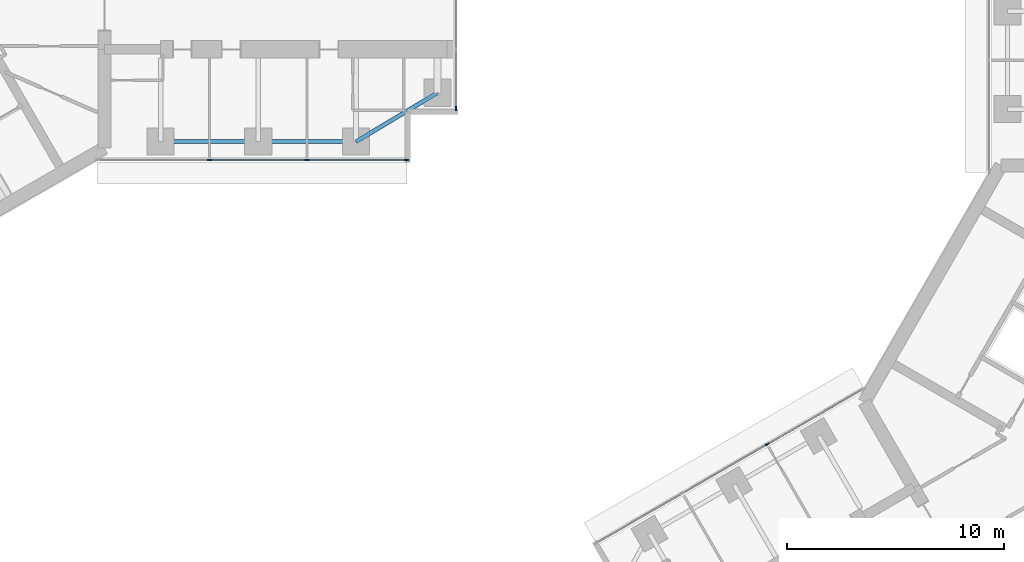
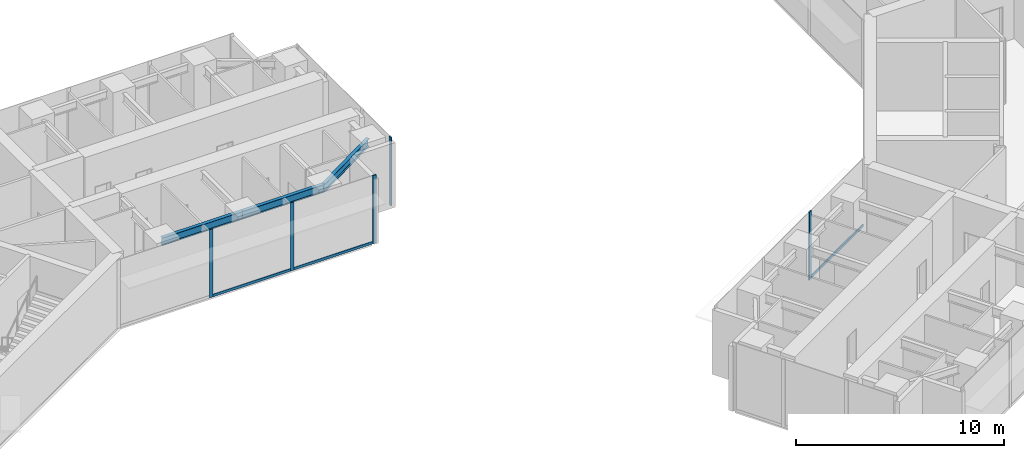
# One storey, part 4 of 23: 8 members, 3 beams, 3 elements without a shape of their own.
"""IFC4 building model written with IfcOpenShell, lengths in metres."""

from ifc_helpers import new_model, si_unit, direction, frame, origin, origin_2d, place, context, subcontext, project, spatial, rectangle, i_section, extrude, material, material_profile, profile_set, type_object, element, aggregate, save


model = new_model("IFC4")

# Units and contexts
model_context = context("Model", 3, precision=1e-05, world=origin(), true_north=direction((0.0, 1.0)))
body_context = subcontext(model_context, "Body", "Model", "MODEL_VIEW")
ifc_project = project(units=[si_unit("LENGTHUNIT", "METRE"), si_unit("AREAUNIT", "SQUARE_METRE"), si_unit("VOLUMEUNIT", "CUBIC_METRE"), si_unit("PLANEANGLEUNIT", "RADIAN"), si_unit("MASSUNIT", "GRAM", prefix="KILO")], contexts=[model_context])

# Site, building, storey
site_placement = place(None, origin())
site = spatial("IfcSite", under=ifc_project, at=site_placement, CompositionType="ELEMENT")
building_placement = place(site_placement, origin())
building = spatial("IfcBuilding", under=site, at=building_placement, Name="Upepo Twin Towers", CompositionType="ELEMENT")
storey_placement = place(building_placement, frame((0.0, 0.0, 149.5)))
storey = spatial("IfcBuildingStorey", under=building, at=storey_placement, Name="L36", CompositionType="ELEMENT", Elevation=149.5)

# Beams
ifc_material_1 = material(Name="Steel S355", Category="steel")
ifc_material_profile_1 = material_profile(ifc_material_1, i_section(OverallWidth=0.1904296875, OverallDepth=0.45703125, WebThickness=0.009033203125, FlangeThickness=0.014404296875, FilletRadius=0.01025390625, at=origin_2d()), Name="UB 457x191x74")
ifc_profile_set_1 = profile_set([ifc_material_profile_1], Name="Steel S355")
beam_type = type_object("IfcBeamType", Name="Beam UB 457x191x74", PredefinedType="BEAM", material=ifc_profile_set_1)
for number, where, z_axis, x_axis, name in (
    (1, (13.5, -6.0, 3.571533203125), (1.0, 0.0, 0.0), (0.0, 1.0, 0.0), "T1 edge beam AR 13.5-18.0"),
    (2, (18.0, -6.0, 3.571533203125), (1.0, 0.0, 0.0), (0.0, 1.0, 0.0), "T1 edge beam AR 18.0-22.5"),
):
    element("IfcBeam", number, at=place(storey_placement, frame(where, z_axis=z_axis, x_axis=x_axis)), inside=storey, type_object=beam_type, Name=name, PredefinedType="BEAM", context=body_context, shape_type="SweptSolid", body=[
        extrude(i_section(OverallWidth=0.1904296875, OverallDepth=0.45703125, WebThickness=0.009033203125, FlangeThickness=0.014404296875, FilletRadius=0.01025390625, at=origin_2d()), origin(), (0.0, 0.0, 1.0), 4.5),
    ])
beam_placement = place(storey_placement, frame((22.5, -6.0, 3.571533203125), z_axis=(0.857492925713, 0.514495755428, 0.0), x_axis=(-0.514495755428, 0.857492925713, 0.0)))
element("IfcBeam", 3, at=beam_placement, inside=storey, type_object=beam_type, Name="T1 nose edge beam AR", PredefinedType="BEAM", context=body_context, shape_type="SweptSolid", body=[
    extrude(i_section(OverallWidth=0.1904296875, OverallDepth=0.45703125, WebThickness=0.009033203125, FlangeThickness=0.014404296875, FilletRadius=0.01025390625, at=origin_2d()), origin(), (0.0, 0.0, 1.0), 4.373291015625),
])

# Curtain wall, members
ifc_material_2 = material(Name="Aluminium and fritted glass", Category="aluminium")
curtain_wall_type = type_object("IfcCurtainWallType", Name="Tower curtain wall TW2, fritted glass", PredefinedType="NOTDEFINED", material=ifc_material_2)
curtain_wall_1_placement = place(storey_placement, origin())
curtain_wall_1 = element("IfcCurtainWall", 4, at=curtain_wall_1_placement, inside=storey, type_object=curtain_wall_type, Name="T1 L36 wing A flank R curtain wall", PredefinedType="NOTDEFINED")
ifc_material_3 = material(Name="Aluminium mullion", Category="aluminium")
ifc_material_profile_2 = material_profile(ifc_material_3, rectangle(XDim=0.06494140625, YDim=0.199951171875, at=origin_2d()), Name="MULLION 65x200")
ifc_profile_set_2 = profile_set([ifc_material_profile_2], Name="Aluminium mullion")
member_type_1 = type_object("IfcMemberType", Name="Mullion 65x200 TW2", PredefinedType="MULLION", material=ifc_profile_set_2)
member_1_placement = place(storey_placement, frame((24.8173828125, -6.85009765625, 0.0), z_axis=(0.0, 0.0, 1.0), x_axis=(0.0, -1.0, 0.0)))
member_1 = element("IfcMember", 5, at=member_1_placement, type_object=member_type_1, Name="T1 L36 wing A flank R curtain wall mullion 1", PredefinedType="MULLION", context=body_context, shape_type="SweptSolid", body=[
    extrude(rectangle(XDim=0.06494140625, YDim=0.199951171875, at=origin_2d()), origin(), (0.0, 0.0, 1.0), 4.0),
])
member_2_placement = place(storey_placement, frame((20.25, -6.85009765625, 0.0), z_axis=(0.0, 0.0, 1.0), x_axis=(0.0, -1.0, 0.0)))
member_2 = element("IfcMember", 6, at=member_2_placement, type_object=member_type_1, Name="T1 L36 wing A flank R curtain wall mullion 2", PredefinedType="MULLION", context=body_context, shape_type="SweptSolid", body=[
    extrude(rectangle(XDim=0.06494140625, YDim=0.199951171875, at=origin_2d()), origin(), (0.0, 0.0, 1.0), 4.0),
])
member_3_placement = place(storey_placement, frame((15.75, -6.85009765625, 0.0), z_axis=(0.0, 0.0, 1.0), x_axis=(0.0, -1.0, 0.0)))
member_3 = element("IfcMember", 7, at=member_3_placement, type_object=member_type_1, Name="T1 L36 wing A flank R curtain wall mullion 3", PredefinedType="MULLION", context=body_context, shape_type="SweptSolid", body=[
    extrude(rectangle(XDim=0.06494140625, YDim=0.199951171875, at=origin_2d()), origin(), (0.0, 0.0, 1.0), 4.0),
])

# Curtain wall, member
curtain_wall_2_placement = place(storey_placement, origin())
curtain_wall_2 = element("IfcCurtainWall", 8, at=curtain_wall_2_placement, inside=storey, type_object=curtain_wall_type, Name="T1 L36 wing A nose curtain wall", PredefinedType="NOTDEFINED")
member_4_placement = place(storey_placement, frame((27.10009765625, -4.467529296875, 0.0), z_axis=(0.0, 0.0, 1.0), x_axis=(-1.0, 0.0, 0.0)))
member_4 = element("IfcMember", 9, at=member_4_placement, type_object=member_type_1, Name="T1 L36 wing A nose curtain wall mullion 1", PredefinedType="MULLION", context=body_context, shape_type="SweptSolid", body=[
    extrude(rectangle(XDim=0.06494140625, YDim=0.199951171875, at=origin_2d()), origin(), (0.0, 0.0, 1.0), 4.0),
])
aggregate(curtain_wall_2, [member_4])

curtain_wall_3_placement = place(storey_placement, origin())
curtain_wall_3 = element("IfcCurtainWall", 10, at=curtain_wall_3_placement, inside=storey, type_object=curtain_wall_type, Name="T2 L36 wing B flank R curtain wall", PredefinedType="NOTDEFINED")
member_5_placement = place(storey_placement, frame((41.43505859375, -19.942626953125, 0.0), z_axis=(0.0, 0.0, 1.0), x_axis=(-0.500000010308, 0.866025397833, 0.0)))
member_5 = element("IfcMember", 11, at=member_5_placement, type_object=member_type_1, Name="T2 L36 wing B flank R curtain wall mullion 3", PredefinedType="MULLION", context=body_context, shape_type="SweptSolid", body=[
    extrude(rectangle(XDim=0.06494140625, YDim=0.199951171875, at=origin_2d()), origin(), (0.0, 0.0, 1.0), 4.0),
])

# Member
ifc_material_4 = material(Name="Aluminium transom", Category="aluminium")
ifc_material_profile_3 = material_profile(ifc_material_4, rectangle(XDim=0.06494140625, YDim=0.14990234375, at=origin_2d()), Name="TRANSOM 65x150")
ifc_profile_set_3 = profile_set([ifc_material_profile_3], Name="Aluminium transom")
member_type_2 = type_object("IfcMemberType", Name="Transom 65x150 TW2", PredefinedType="USERDEFINED", material=ifc_profile_set_3)
member_6_placement = place(storey_placement, frame((24.784912109375, -6.85009765625, 0.074951171875), z_axis=(-1.0, 0.0, 0.0), x_axis=(0.0, -1.0, 0.0)))
member_6 = element("IfcMember", 12, at=member_6_placement, type_object=member_type_2, Name="T1 L36 wing A flank R curtain wall transom 1", ObjectType="TRANSOM", PredefinedType="USERDEFINED", context=body_context, shape_type="SweptSolid", body=[
    extrude(rectangle(XDim=0.06494140625, YDim=0.14990234375, at=origin_2d()), origin(), (0.0, 0.0, 1.0), 4.50244140625),
])

member_7_placement = place(storey_placement, frame((20.217529296875, -6.85009765625, 0.074951171875), z_axis=(-1.0, 0.0, 0.0), x_axis=(0.0, -1.0, 0.0)))
member_7 = element("IfcMember", 13, at=member_7_placement, type_object=member_type_2, Name="T1 L36 wing A flank R curtain wall transom 2", ObjectType="TRANSOM", PredefinedType="USERDEFINED", context=body_context, shape_type="SweptSolid", body=[
    extrude(rectangle(XDim=0.06494140625, YDim=0.14990234375, at=origin_2d()), origin(), (0.0, 0.0, 1.0), 4.43505859375),
])

aggregate(curtain_wall_1, [member_1, member_2, member_3, member_6, member_7])

member_8_placement = place(storey_placement, frame((41.463134765625, -19.926513671875, 0.074951171875), z_axis=(0.866033897268, 0.499985288567, 0.0), x_axis=(-0.499985288567, 0.866033897268, 0.0)))
member_8 = element("IfcMember", 14, at=member_8_placement, type_object=member_type_2, Name="T2 L36 wing B flank R curtain wall transom 3", ObjectType="TRANSOM", PredefinedType="USERDEFINED", context=body_context, shape_type="SweptSolid", body=[
    extrude(rectangle(XDim=0.06494140625, YDim=0.14990234375, at=origin_2d()), origin(), (0.0, 0.0, 1.0), 5.065673828125),
])

aggregate(curtain_wall_3, [member_5, member_8])

save(model, "model.ifc")
